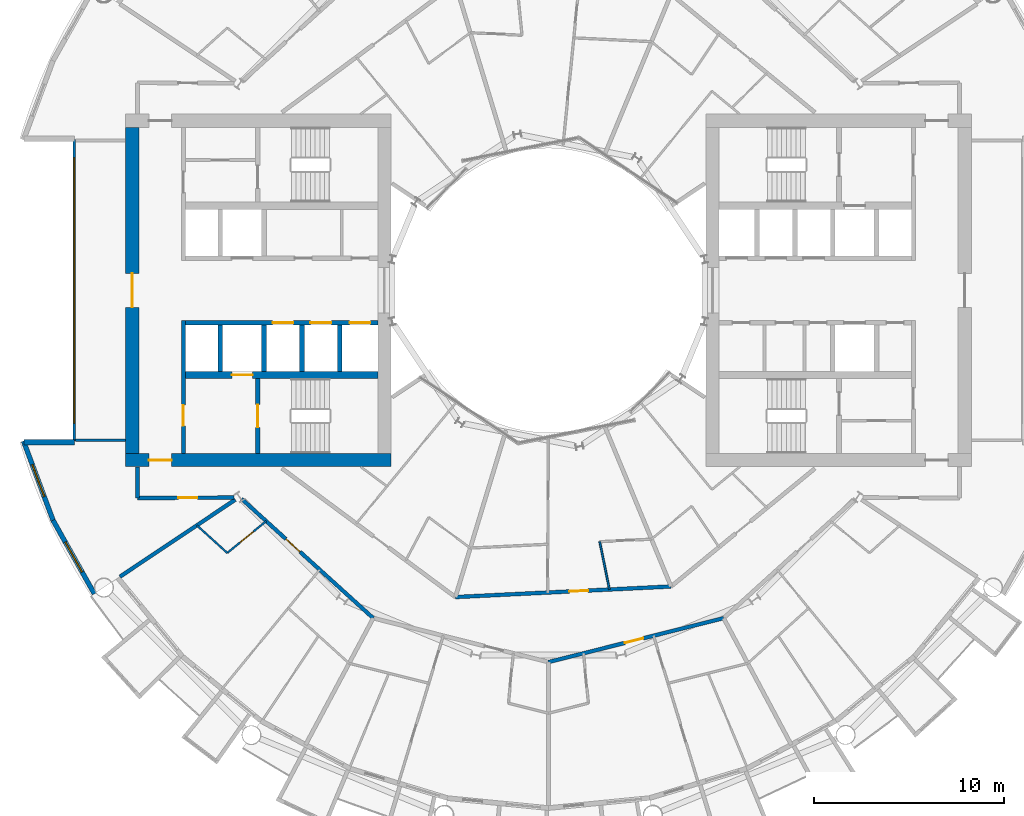
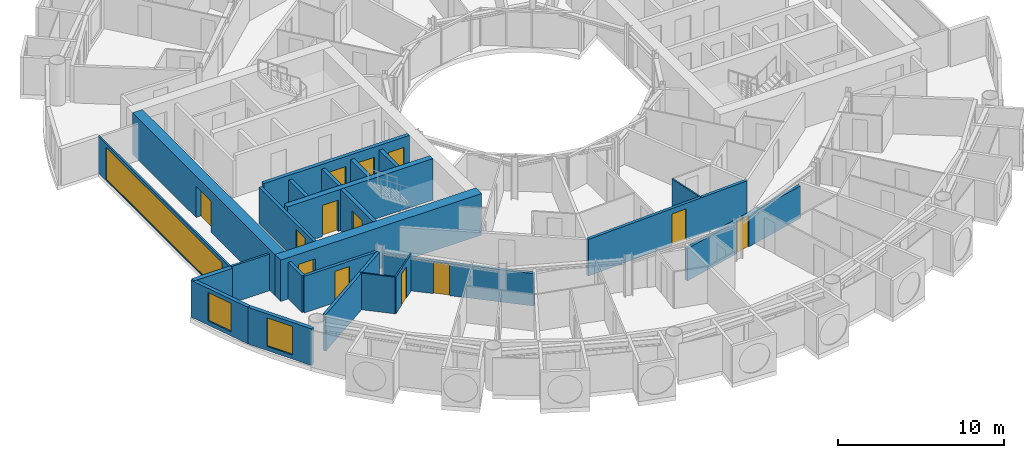
# One storey, part 14 of 26: 24 walls, 13 doors, 3 windows, 16 openings.
"""IFC4 building model written with IfcOpenShell, lengths in metres."""

from ifc_helpers import new_model, si_unit, direction, frame, frame_2d, origin, place, context, subcontext, project, spatial, rectangle, extrude, material, layer, layer_set, type_object, element, fill, save


model = new_model("IFC4")

# Units and contexts
model_context = context("Model", 3, precision=1e-05, world=origin(), true_north=direction((0.0, 1.0)))
body_context = subcontext(model_context, "Body", "Model", "MODEL_VIEW")
ifc_project = project(units=[si_unit("LENGTHUNIT", "METRE"), si_unit("AREAUNIT", "SQUARE_METRE"), si_unit("VOLUMEUNIT", "CUBIC_METRE"), si_unit("PLANEANGLEUNIT", "RADIAN"), si_unit("MASSUNIT", "GRAM", prefix="KILO")], contexts=[model_context])

# Site, building, storey
site_placement = place(None, origin())
site = spatial("IfcSite", under=ifc_project, at=site_placement, CompositionType="ELEMENT")
building_placement = place(site_placement, origin())
building = spatial("IfcBuilding", under=site, at=building_placement, Name="Maasbend Ring Residences", CompositionType="ELEMENT")
storey_placement = place(building_placement, frame((0.0, 0.0, 81.89990234375)))
storey = spatial("IfcBuildingStorey", under=building, at=storey_placement, Name="L23", CompositionType="ELEMENT", Elevation=81.89990234375)

# Wall, openings, doors
ifc_material_1 = material(Name="Concrete C70/85", Category="concrete")
ifc_layer_1 = layer(ifc_material_1, 0.25)
ifc_layer_set_1 = layer_set([ifc_layer_1], Name="Concrete C70/85")
wall_type_1 = type_object("IfcWallType", Name="CORE WALL 250 C70/85", PredefinedType="SHEAR", material=ifc_layer_set_1)
wall_1_placement = place(storey_placement, frame((-9.0, -1.699951171875, 0.0), z_axis=(0.0, 0.0, 1.0), x_axis=(-1.0, 0.0, 0.0)))
wall_1 = element("IfcWall", 1, at=wall_1_placement, inside=storey, type_object=wall_type_1, Name="L23 core W wall SPN", PredefinedType="SHEAR", context=body_context, shape_type="SweptSolid", body=[
    extrude(rectangle(XDim=10.14990234375, YDim=0.25, at=frame_2d((5.074951171875, 0.0))), origin(), (0.0, 0.0, 1.0), 3.050048828125),
])
opening_1_placement = place(wall_1_placement, frame((0.387451171875, 0.0, 0.0)))
opening_1 = element("IfcOpeningElement", 2, at=opening_1_placement, cuts=wall_1, Name="Opening LD-W2301", PredefinedType="OPENING", context=body_context, shape_type="SweptSolid", body=[
    extrude(rectangle(XDim=1.10009765625, YDim=2.300048828125, at=frame_2d((0.550048828125, 1.14990234375))), frame((0.0, 0.135009765625, 0.0), z_axis=(0.0, -1.0, 0.0), x_axis=(1.0, 0.0, 0.0)), (0.0, 0.0, 1.0), 0.27001953125),
])
opening_2_placement = place(wall_1_placement, frame((2.449951171875, 0.0, 0.0)))
opening_2 = element("IfcOpeningElement", 3, at=opening_2_placement, cuts=wall_1, Name="Opening LD-W2302", PredefinedType="OPENING", context=body_context, shape_type="SweptSolid", body=[
    extrude(rectangle(XDim=1.10009765625, YDim=2.300048828125, at=frame_2d((0.550048828125, 1.14990234375))), frame((0.0, 0.135009765625, 0.0), z_axis=(0.0, -1.0, 0.0), x_axis=(1.0, 0.0, 0.0)), (0.0, 0.0, 1.0), 0.27001953125),
])
opening_3_placement = place(wall_1_placement, frame((4.449951171875, 0.0, 0.0)))
opening_3 = element("IfcOpeningElement", 4, at=opening_3_placement, cuts=wall_1, Name="Opening LD-W2303", PredefinedType="OPENING", context=body_context, shape_type="SweptSolid", body=[
    extrude(rectangle(XDim=1.10009765625, YDim=2.300048828125, at=frame_2d((0.550048828125, 1.14990234375))), frame((0.0, 0.135009765625, 0.0), z_axis=(0.0, -1.0, 0.0), x_axis=(1.0, 0.0, 0.0)), (0.0, 0.0, 1.0), 0.27001953125),
])
ifc_material_2 = material(Name="Stainless steel 316", Category="steel")
door_type_1 = type_object("IfcDoorType", Name="LANDING DOOR 1100 X 2300 FD60", OperationType="DOUBLE_DOOR_SLIDING", PredefinedType="DOOR", material=ifc_material_2)
door_1_placement = place(opening_1_placement, origin())
door_1 = element("IfcDoor", 5, at=door_1_placement, inside=storey, type_object=door_type_1, Name="Landing door LR-W1 L23", OperationType="DOUBLE_DOOR_SLIDING", OverallHeight=2.300048828125, OverallWidth=1.10009765625, PredefinedType="DOOR", context=body_context, shape_type="SweptSolid", body=[
    extrude(rectangle(XDim=1.10009765625, YDim=2.300048828125, at=frame_2d((0.550048828125, 1.14990234375))), frame((0.0, 0.02490234375, 0.0), z_axis=(0.0, -1.0, 0.0), x_axis=(1.0, 0.0, 0.0)), (0.0, 0.0, 1.0), 0.050048828125),
])
fill(opening_1, door_1)
door_2_placement = place(opening_2_placement, origin())
door_2 = element("IfcDoor", 6, at=door_2_placement, inside=storey, type_object=door_type_1, Name="Landing door LR-W2 L23", OperationType="DOUBLE_DOOR_SLIDING", OverallHeight=2.300048828125, OverallWidth=1.10009765625, PredefinedType="DOOR", context=body_context, shape_type="SweptSolid", body=[
    extrude(rectangle(XDim=1.10009765625, YDim=2.300048828125, at=frame_2d((0.550048828125, 1.14990234375))), frame((0.0, 0.02490234375, 0.0), z_axis=(0.0, -1.0, 0.0), x_axis=(1.0, 0.0, 0.0)), (0.0, 0.0, 1.0), 0.050048828125),
])
fill(opening_2, door_2)
door_3_placement = place(opening_3_placement, origin())
door_3 = element("IfcDoor", 7, at=door_3_placement, inside=storey, type_object=door_type_1, Name="Landing door LR-W3 L23", OperationType="DOUBLE_DOOR_SLIDING", OverallHeight=2.300048828125, OverallWidth=1.10009765625, PredefinedType="DOOR", context=body_context, shape_type="SweptSolid", body=[
    extrude(rectangle(XDim=1.10009765625, YDim=2.300048828125, at=frame_2d((0.550048828125, 1.14990234375))), frame((0.0, 0.02490234375, 0.0), z_axis=(0.0, -1.0, 0.0), x_axis=(1.0, 0.0, 0.0)), (0.0, 0.0, 1.0), 0.050048828125),
])
fill(opening_3, door_3)

# Wall, opening, door
wall_2_placement = place(storey_placement, frame((-15.324951171875, -4.64990234375, 0.0), z_axis=(0.0, 0.0, 1.0), x_axis=(0.0, -1.0, 0.0)))
wall_2 = element("IfcWall", 8, at=wall_2_placement, inside=storey, type_object=wall_type_1, Name="L23 core W wall STEN", PredefinedType="SHEAR", context=body_context, shape_type="SweptSolid", body=[
    extrude(rectangle(XDim=3.9501953125, YDim=0.25, at=frame_2d((1.97509765625, 0.0))), origin(), (0.0, 0.0, 1.0), 3.050048828125),
])
opening_4_placement = place(wall_2_placement, frame((1.375, 0.0, 0.0)))
opening_4 = element("IfcOpeningElement", 9, at=opening_4_placement, cuts=wall_2, Name="Opening D-W2309", PredefinedType="OPENING", context=body_context, shape_type="SweptSolid", body=[
    extrude(rectangle(XDim=1.199951171875, YDim=2.300048828125, at=frame_2d((0.60009765625, 1.14990234375))), frame((0.0, 0.135009765625, 0.0), z_axis=(0.0, -1.0, 0.0), x_axis=(1.0, 0.0, 0.0)), (0.0, 0.0, 1.0), 0.27001953125),
])
ifc_material_3 = material(Name="Steel, powder coated", Category="steel")
door_type_2 = type_object("IfcDoorType", Name="STAIR DOOR 1200 X 2300 FD60", OperationType="NOTDEFINED", PredefinedType="DOOR", material=ifc_material_3)
door_4_placement = place(opening_4_placement, origin())
door_4 = element("IfcDoor", 10, at=door_4_placement, inside=storey, type_object=door_type_2, Name="Stair door ST-W L23", OperationType="SINGLE_SWING_LEFT", OverallHeight=2.300048828125, OverallWidth=1.199951171875, PredefinedType="DOOR", context=body_context, shape_type="SweptSolid", body=[
    extrude(rectangle(XDim=1.199951171875, YDim=2.300048828125, at=frame_2d((0.60009765625, 1.14990234375))), frame((0.0, 0.02490234375, 0.0), z_axis=(0.0, -1.0, 0.0), x_axis=(1.0, 0.0, 0.0)), (0.0, 0.0, 1.0), 0.050048828125),
])
fill(opening_4, door_4)

ifc_material_4 = material(Name="Concrete C70/85", Category="concrete")
ifc_layer_2 = layer(ifc_material_4, 0.375)
ifc_layer_set_2 = layer_set([ifc_layer_2], Name="Concrete C70/85")
wall_type_2 = type_object("IfcWallType", Name="CORE WALL 375 C70/85", PredefinedType="SHEAR", material=ifc_layer_set_2)
wall_3_placement = place(storey_placement, frame((-9.0, -4.46240234375, 0.0), z_axis=(0.0, 0.0, 1.0), x_axis=(-1.0, 0.0, 0.0)))
wall_3 = element("IfcWall", 11, at=wall_3_placement, inside=storey, type_object=wall_type_2, Name="L23 core W wall BN", PredefinedType="SHEAR", context=body_context, shape_type="SweptSolid", body=[
    extrude(rectangle(XDim=10.14990234375, YDim=0.375, at=frame_2d((5.074951171875, 0.0))), origin(), (0.0, 0.0, 1.0), 3.050048828125),
])
opening_5_placement = place(wall_3_placement, frame((6.60009765625, 0.0, 0.0)))
opening_5 = element("IfcOpeningElement", 12, at=opening_5_placement, cuts=wall_3, Name="Opening LD-W2304", PredefinedType="OPENING", context=body_context, shape_type="SweptSolid", body=[
    extrude(rectangle(XDim=1.10009765625, YDim=2.300048828125, at=frame_2d((0.550048828125, 1.14990234375))), frame((0.0, 0.197509765625, 0.0), z_axis=(0.0, -1.0, 0.0), x_axis=(1.0, 0.0, 0.0)), (0.0, 0.0, 1.0), 0.39501953125),
])
door_5_placement = place(opening_5_placement, origin())
door_5 = element("IfcDoor", 13, at=door_5_placement, inside=storey, type_object=door_type_1, Name="Landing door FF-W L23", OperationType="DOUBLE_DOOR_SLIDING", OverallHeight=2.300048828125, OverallWidth=1.10009765625, PredefinedType="DOOR", context=body_context, shape_type="SweptSolid", body=[
    extrude(rectangle(XDim=1.10009765625, YDim=2.300048828125, at=frame_2d((0.550048828125, 1.14990234375))), frame((0.0, 0.02490234375, 0.0), z_axis=(0.0, -1.0, 0.0), x_axis=(1.0, 0.0, 0.0)), (0.0, 0.0, 1.0), 0.050048828125),
])
fill(opening_5, door_5)

ifc_material_5 = material(Name="Concrete C70/85", Category="concrete")
ifc_layer_3 = layer(ifc_material_5, 0.699951171875)
ifc_layer_set_3 = layer_set([ifc_layer_3], Name="Concrete C70/85")
wall_type_3 = type_object("IfcWallType", Name="CORE WALL 700 C70/85", PredefinedType="SHEAR", material=ifc_layer_set_3)
wall_4_placement = place(storey_placement, frame((-22.300048828125, -8.949951171875, 0.0), z_axis=(0.0, 0.0, 1.0), x_axis=(1.0, 0.0, 0.0)))
wall_4 = element("IfcWall", 14, at=wall_4_placement, inside=storey, type_object=wall_type_3, Name="L23 core W wall PN", PredefinedType="SHEAR", context=body_context, shape_type="SweptSolid", body=[
    extrude(rectangle(XDim=14.0, YDim=0.699951171875, at=frame_2d((7.0, 0.0))), origin(), (0.0, 0.0, 1.0), 3.050048828125),
])
opening_6_placement = place(wall_4_placement, frame((1.22509765625, 0.0, 0.0)))
opening_6 = element("IfcOpeningElement", 15, at=opening_6_placement, cuts=wall_4, Name="Opening D-W2313", PredefinedType="OPENING", context=body_context, shape_type="SweptSolid", body=[
    extrude(rectangle(XDim=1.199951171875, YDim=2.300048828125, at=frame_2d((0.60009765625, 1.14990234375))), frame((0.0, 0.35986328125, 0.0), z_axis=(0.0, -1.0, 0.0), x_axis=(1.0, 0.0, 0.0)), (0.0, 0.0, 1.0), 0.719970703125),
])
ifc_material_6 = material(Name="Steel, powder coated", Category="steel")
door_type_3 = type_object("IfcDoorType", Name="CORRIDOR DOOR 1200 X 2300 FD30S", OperationType="NOTDEFINED", PredefinedType="DOOR", material=ifc_material_6)
door_6_placement = place(opening_6_placement, origin())
door_6 = element("IfcDoor", 16, at=door_6_placement, inside=storey, type_object=door_type_3, Name="Corridor door L23", OperationType="SINGLE_SWING_RIGHT", OverallHeight=2.300048828125, OverallWidth=1.199951171875, PredefinedType="DOOR", context=body_context, shape_type="SweptSolid", body=[
    extrude(rectangle(XDim=1.199951171875, YDim=2.300048828125, at=frame_2d((0.60009765625, 1.14990234375))), frame((0.0, 0.02490234375, 0.0), z_axis=(0.0, -1.0, 0.0), x_axis=(1.0, 0.0, 0.0)), (0.0, 0.0, 1.0), 0.050048828125),
])
fill(opening_6, door_6)

wall_5_placement = place(storey_placement, frame((-21.949951171875, -8.60009765625, 0.0), z_axis=(0.0, 0.0, 1.0), x_axis=(0.0, 1.0, 0.0)))
wall_5 = element("IfcWall", 17, at=wall_5_placement, inside=storey, type_object=wall_type_3, Name="L23 core W wall POUT", PredefinedType="SHEAR", context=body_context, shape_type="SweptSolid", body=[
    extrude(rectangle(XDim=17.2001953125, YDim=0.699951171875, at=frame_2d((8.60009765625, 0.0))), origin(), (0.0, 0.0, 1.0), 3.050048828125),
])
opening_7_placement = place(wall_5_placement, frame((7.699951171875, 0.0, 0.0)))
opening_7 = element("IfcOpeningElement", 18, at=opening_7_placement, cuts=wall_5, Name="Opening D-W2315", PredefinedType="OPENING", context=body_context, shape_type="SweptSolid", body=[
    extrude(rectangle(XDim=1.800048828125, YDim=2.300048828125, at=frame_2d((0.89990234375, 1.14990234375))), frame((0.0, 0.35986328125, 0.0), z_axis=(0.0, -1.0, 0.0), x_axis=(1.0, 0.0, 0.0)), (0.0, 0.0, 1.0), 0.719970703125),
])
ifc_material_7 = material(Name="Aluminium frame, clear glass", Category="aluminium")
door_type_4 = type_object("IfcDoorType", Name="ENTRANCE DOOR 1800 X 2300 FD60", OperationType="NOTDEFINED", PredefinedType="DOOR", material=ifc_material_7)
door_7_placement = place(opening_7_placement, origin())
door_7 = element("IfcDoor", 19, at=door_7_placement, inside=storey, type_object=door_type_4, Name="Lobby glazed door L23", OperationType="SINGLE_SWING_LEFT", OverallHeight=2.300048828125, OverallWidth=1.800048828125, PredefinedType="DOOR", context=body_context, shape_type="SweptSolid", body=[
    extrude(rectangle(XDim=1.800048828125, YDim=2.300048828125, at=frame_2d((0.89990234375, 1.14990234375))), frame((0.0, 0.02490234375, 0.0), z_axis=(0.0, -1.0, 0.0), x_axis=(1.0, 0.0, 0.0)), (0.0, 0.0, 1.0), 0.050048828125),
])
fill(opening_7, door_7)

ifc_material_8 = material(Name="Concrete C30/37", Category="concrete")
ifc_layer_4 = layer(ifc_material_8, 0.199951171875)
ifc_layer_set_4 = layer_set([ifc_layer_4], Name="Concrete C30/37")
wall_type_4 = type_object("IfcWallType", Name="CORRIDOR WALL 200 CONCRETE", PredefinedType="PARTITIONING", material=ifc_layer_set_4)
wall_6_placement = place(storey_placement, frame((-16.178955078125, -10.9951171875, 0.0), z_axis=(0.0, 0.0, 1.0), x_axis=(0.740909940942, -0.671604392044, 0.0)))
wall_6 = element("IfcWall", 20, at=wall_6_placement, inside=storey, type_object=wall_type_4, Name="U-L23-w011", PredefinedType="PARTITIONING", context=body_context, shape_type="SweptSolid", body=[
    extrude(rectangle(XDim=9.36669921875, YDim=0.199951171875, at=frame_2d((4.683349609375, 0.0))), origin(), (0.0, 0.0, 1.0), 2.380126953125),
])
opening_8_placement = place(wall_6_placement, frame((3.152099609375, 0.0, 0.0)))
opening_8 = element("IfcOpeningElement", 21, at=opening_8_placement, cuts=wall_6, Name="Opening D-2333", PredefinedType="OPENING", context=body_context, shape_type="SweptSolid", body=[
    extrude(rectangle(XDim=1.0, YDim=2.300048828125, at=frame_2d((0.5, 1.14990234375))), frame((0.0, 0.10986328125, 0.0), z_axis=(0.0, -1.0, 0.0), x_axis=(1.0, 0.0, 0.0)), (0.0, 0.0, 1.0), 0.219970703125),
])
ifc_material_9 = material(Name="Timber, fire-rated, painted", Category="wood")
door_type_5 = type_object("IfcDoorType", Name="FLAT ENTRANCE DOOR 1000 X 2300 FIRE-RATED", OperationType="NOTDEFINED", PredefinedType="DOOR", material=ifc_material_9)
door_8_placement = place(opening_8_placement, origin())
door_8 = element("IfcDoor", 22, at=door_8_placement, inside=storey, type_object=door_type_5, Name="D-2333", OperationType="SINGLE_SWING_LEFT", OverallHeight=2.300048828125, OverallWidth=1.0, PredefinedType="DOOR", context=body_context, shape_type="SweptSolid", body=[
    extrude(rectangle(XDim=1.0, YDim=2.300048828125, at=frame_2d((0.5, 1.14990234375))), frame((0.0, 0.02490234375, 0.0), z_axis=(0.0, -1.0, 0.0), x_axis=(1.0, 0.0, 0.0)), (0.0, 0.0, 1.0), 0.050048828125),
])
fill(opening_8, door_8)

wall_7_placement = place(storey_placement, frame((0.0, -19.60009765625, 0.0), z_axis=(0.0, 0.0, 1.0), x_axis=(0.970002158938, 0.243096301198, 0.0)))
wall_7 = element("IfcWall", 23, at=wall_7_placement, inside=storey, type_object=wall_type_4, Name="U-L23-w013", PredefinedType="PARTITIONING", context=body_context, shape_type="SweptSolid", body=[
    extrude(rectangle(XDim=9.52783203125, YDim=0.199951171875, at=frame_2d((4.763916015625, 0.0))), origin(), (0.0, 0.0, 1.0), 2.380126953125),
])
opening_9_placement = place(wall_7_placement, frame((4.155029296875, 0.0, 0.0)))
opening_9 = element("IfcOpeningElement", 24, at=opening_9_placement, cuts=wall_7, Name="Opening D-2343", PredefinedType="OPENING", context=body_context, shape_type="SweptSolid", body=[
    extrude(rectangle(XDim=1.0, YDim=2.300048828125, at=frame_2d((0.5, 1.14990234375))), frame((0.0, 0.10986328125, 0.0), z_axis=(0.0, -1.0, 0.0), x_axis=(1.0, 0.0, 0.0)), (0.0, 0.0, 1.0), 0.219970703125),
])
door_9_placement = place(opening_9_placement, origin())
door_9 = element("IfcDoor", 25, at=door_9_placement, inside=storey, type_object=door_type_5, Name="D-2343", OperationType="SINGLE_SWING_LEFT", OverallHeight=2.300048828125, OverallWidth=1.0, PredefinedType="DOOR", context=body_context, shape_type="SweptSolid", body=[
    extrude(rectangle(XDim=1.0, YDim=2.300048828125, at=frame_2d((0.5, 1.14990234375))), frame((0.0, 0.02490234375, 0.0), z_axis=(0.0, -1.0, 0.0), x_axis=(1.0, 0.0, 0.0)), (0.0, 0.0, 1.0), 0.050048828125),
])
fill(opening_9, door_9)

wall_8_placement = place(storey_placement, frame((-4.906005859375, -16.172119140625, 0.0), z_axis=(0.0, 0.0, 1.0), x_axis=(0.998798520108, 0.049005267363, 0.0)))
wall_8 = element("IfcWall", 26, at=wall_8_placement, inside=storey, type_object=wall_type_4, Name="U-L23-w017", PredefinedType="PARTITIONING", context=body_context, shape_type="SweptSolid", body=[
    extrude(rectangle(XDim=11.388671875, YDim=0.199951171875, at=frame_2d((5.6943359375, 0.0))), origin(), (0.0, 0.0, 1.0), 2.7001953125),
])
opening_10_placement = place(wall_8_placement, frame((6.008056640625, 0.0, 0.0)))
opening_10 = element("IfcOpeningElement", 27, at=opening_10_placement, cuts=wall_8, Name="Opening D-2357", PredefinedType="OPENING", context=body_context, shape_type="SweptSolid", body=[
    extrude(rectangle(XDim=1.0, YDim=2.300048828125, at=frame_2d((0.5, 1.14990234375))), frame((0.0, 0.10986328125, 0.0), z_axis=(0.0, -1.0, 0.0), x_axis=(1.0, 0.0, 0.0)), (0.0, 0.0, 1.0), 0.219970703125),
])
door_10_placement = place(opening_10_placement, origin())
door_10 = element("IfcDoor", 28, at=door_10_placement, inside=storey, type_object=door_type_5, Name="D-2357", OperationType="SINGLE_SWING_RIGHT", OverallHeight=2.300048828125, OverallWidth=1.0, PredefinedType="DOOR", context=body_context, shape_type="SweptSolid", body=[
    extrude(rectangle(XDim=1.0, YDim=2.300048828125, at=frame_2d((0.5, 1.14990234375))), frame((0.0, 0.02490234375, 0.0), z_axis=(0.0, -1.0, 0.0), x_axis=(1.0, 0.0, 0.0)), (0.0, 0.0, 1.0), 0.050048828125),
])
fill(opening_10, door_10)

wall_9_placement = place(storey_placement, frame((-21.675048828125, -10.949951171875, 0.0), z_axis=(0.0, 0.0, 1.0), x_axis=(0.999988019025, 0.004895079807, 0.0)))
wall_9 = element("IfcWall", 29, at=wall_9_placement, inside=storey, type_object=wall_type_4, Name="U-L23-w024", PredefinedType="PARTITIONING", context=body_context, shape_type="SweptSolid", body=[
    extrude(rectangle(XDim=5.087158203125, YDim=0.199951171875, at=frame_2d((2.54345703125, 0.0))), origin(), (0.0, 0.0, 1.0), 2.7001953125),
])
opening_11_placement = place(wall_9_placement, frame((2.1630859375, 0.0, 0.0)))
opening_11 = element("IfcOpeningElement", 30, at=opening_11_placement, cuts=wall_9, Name="Opening D-2365", PredefinedType="OPENING", context=body_context, shape_type="SweptSolid", body=[
    extrude(rectangle(XDim=1.0, YDim=2.300048828125, at=frame_2d((0.5, 1.14990234375))), frame((0.0, 0.10986328125, 0.0), z_axis=(0.0, -1.0, 0.0), x_axis=(1.0, 0.0, 0.0)), (0.0, 0.0, 1.0), 0.219970703125),
])
ifc_material_10 = material(Name="Timber, painted", Category="wood")
door_type_6 = type_object("IfcDoorType", Name="ROOM DOOR 1000 X 2300", OperationType="NOTDEFINED", PredefinedType="DOOR", material=ifc_material_10)
door_11_placement = place(opening_11_placement, origin())
door_11 = element("IfcDoor", 31, at=door_11_placement, inside=storey, type_object=door_type_6, Name="D-2365", OperationType="SINGLE_SWING_RIGHT", OverallHeight=2.300048828125, OverallWidth=1.0, PredefinedType="DOOR", context=body_context, shape_type="SweptSolid", body=[
    extrude(rectangle(XDim=1.0, YDim=2.300048828125, at=frame_2d((0.5, 1.14990234375))), frame((0.0, 0.02490234375, 0.0), z_axis=(0.0, -1.0, 0.0), x_axis=(1.0, 0.0, 0.0)), (0.0, 0.0, 1.0), 0.050048828125),
])
fill(opening_11, door_11)

# Wall
wall_10_placement = place(storey_placement, frame((-21.675048828125, -10.949951171875, 0.0), z_axis=(0.0, 0.0, 1.0), x_axis=(0.0, 1.0, 0.0)))
element("IfcWall", 32, at=wall_10_placement, inside=storey, type_object=wall_type_4, Name="U-L23-w107", PredefinedType="PARTITIONING", context=body_context, shape_type="SweptSolid", body=[
    extrude(rectangle(XDim=1.64990234375, YDim=0.199951171875, at=frame_2d((0.824951171875, 0.0))), origin(), (0.0, 0.0, 1.0), 2.7001953125),
])

# Wall, opening, window
ifc_material_11 = material(Name="Aluminium clad insulated panel", Category="aluminium")
ifc_layer_5 = layer(ifc_material_11, 0.25)
ifc_layer_set_5 = layer_set([ifc_layer_5], Name="EW-HORN")
wall_type_5 = type_object("IfcWallType", Name="EW-HORN", PredefinedType="SOLIDWALL", material=ifc_layer_set_5)
wall_11_placement = place(storey_placement, frame((-27.681884765625, -7.945068359375, 0.0), z_axis=(0.0, 0.0, 1.0), x_axis=(0.349247811493, -0.937030397675, 0.0)))
wall_11 = element("IfcWall", 33, at=wall_11_placement, inside=storey, type_object=wall_type_5, Name="Horn wall 3.1", PredefinedType="SOLIDWALL", context=body_context, shape_type="SweptSolid", body=[
    extrude(rectangle(XDim=4.4521484375, YDim=0.25, at=frame_2d((2.22607421875, 0.0))), origin(), (0.0, 0.0, 1.0), 2.7001953125),
])
opening_12_placement = place(wall_11_placement, frame((1.32666015625, 0.0, 0.300048828125)))
opening_12 = element("IfcOpeningElement", 34, at=opening_12_placement, cuts=wall_11, Name="Opening W-BX", PredefinedType="OPENING", context=body_context, shape_type="SweptSolid", body=[
    extrude(rectangle(XDim=1.800048828125, YDim=2.10009765625, at=frame_2d((0.89990234375, 1.050048828125))), frame((0.0, 0.135009765625, 0.0), z_axis=(0.0, -1.0, 0.0), x_axis=(1.0, 0.0, 0.0)), (0.0, 0.0, 1.0), 0.27001953125),
])
ifc_material_12 = material(Name="Aluminium and clear glass", Category="aluminium")
window_type_1 = type_object("IfcWindowType", Name="W-BX", PartitioningType="DOUBLE_PANEL_VERTICAL", PredefinedType="WINDOW", material=ifc_material_12)
window_1_placement = place(opening_12_placement, origin())
window_1 = element("IfcWindow", 35, at=window_1_placement, inside=storey, type_object=window_type_1, Name="Horn window 3.1", OverallHeight=2.10009765625, OverallWidth=1.800048828125, PartitioningType="SINGLE_PANEL", PredefinedType="WINDOW", context=body_context, shape_type="SweptSolid", body=[
    extrude(rectangle(XDim=1.800048828125, YDim=2.10009765625, at=frame_2d((0.89990234375, 1.050048828125))), frame((0.0, 0.030029296875, 0.0), z_axis=(0.0, -1.0, 0.0), x_axis=(1.0, 0.0, 0.0)), (0.0, 0.0, 1.0), 0.06005859375),
])
fill(opening_12, window_1)

wall_12_placement = place(storey_placement, frame((-26.126953125, -12.116943359375, 0.0), z_axis=(0.0, 0.0, 1.0), x_axis=(0.489696356642, -0.871893042919, 0.0)))
wall_12 = element("IfcWall", 36, at=wall_12_placement, inside=storey, type_object=wall_type_5, Name="Horn wall 3.2", PredefinedType="SOLIDWALL", context=body_context, shape_type="SweptSolid", body=[
    extrude(rectangle(XDim=4.45361328125, YDim=0.25, at=frame_2d((2.226806640625, 0.0))), origin(), (0.0, 0.0, 1.0), 2.7001953125),
])
opening_13_placement = place(wall_12_placement, frame((1.32666015625, 0.0, 0.300048828125)))
opening_13 = element("IfcOpeningElement", 37, at=opening_13_placement, cuts=wall_12, Name="Opening W-BX", PredefinedType="OPENING", context=body_context, shape_type="SweptSolid", body=[
    extrude(rectangle(XDim=1.800048828125, YDim=2.10009765625, at=frame_2d((0.89990234375, 1.050048828125))), frame((0.0, 0.135009765625, 0.0), z_axis=(0.0, -1.0, 0.0), x_axis=(1.0, 0.0, 0.0)), (0.0, 0.0, 1.0), 0.27001953125),
])
window_2_placement = place(opening_13_placement, origin())
window_2 = element("IfcWindow", 38, at=window_2_placement, inside=storey, type_object=window_type_1, Name="Horn window 3.2", OverallHeight=2.10009765625, OverallWidth=1.800048828125, PartitioningType="SINGLE_PANEL", PredefinedType="WINDOW", context=body_context, shape_type="SweptSolid", body=[
    extrude(rectangle(XDim=1.800048828125, YDim=2.10009765625, at=frame_2d((0.89990234375, 1.050048828125))), frame((0.0, 0.030029296875, 0.0), z_axis=(0.0, -1.0, 0.0), x_axis=(1.0, 0.0, 0.0)), (0.0, 0.0, 1.0), 0.06005859375),
])
fill(opening_13, window_2)

# Wall
ifc_material_13 = material(Name="Aluminium clad insulated panel", Category="aluminium")
ifc_layer_6 = layer(ifc_material_13, 0.300048828125)
ifc_layer_set_6 = layer_set([ifc_layer_6], Name="EW-RET")
wall_type_6 = type_object("IfcWallType", Name="EW-RET", PredefinedType="SOLIDWALL", material=ifc_layer_set_6)
wall_13_placement = place(storey_placement, frame((-25.0, -8.0, 0.0), z_axis=(0.0, 0.0, 1.0), x_axis=(-1.0, 0.0, 0.0)))
element("IfcWall", 39, at=wall_13_placement, inside=storey, type_object=wall_type_6, Name="Notch return wall west south", PredefinedType="SOLIDWALL", context=body_context, shape_type="SweptSolid", body=[
    extrude(rectangle(XDim=2.6669921875, YDim=0.300048828125, at=frame_2d((1.33349609375, 0.0))), origin(), (0.0, 0.0, 1.0), 2.7001953125),
])

# Wall, opening, window
ifc_material_14 = material(Name="Aluminium frame and clear glass", Category="aluminium")
ifc_layer_7 = layer(ifc_material_14, 0.1201171875)
ifc_layer_set_7 = layer_set([ifc_layer_7], Name="GLAZED SCREEN WALL 120 EI 60")
wall_type_7 = type_object("IfcWallType", Name="GLAZED SCREEN WALL 120 EI 60", PredefinedType="PARTITIONING", material=ifc_layer_set_7)
wall_14_placement = place(storey_placement, frame((-25.0, 7.949951171875, 0.0), z_axis=(0.0, 0.0, 1.0), x_axis=(0.0, -1.0, 0.0)))
wall_14 = element("IfcWall", 40, at=wall_14_placement, inside=storey, type_object=wall_type_7, Name="L23 core W wall FACE", PredefinedType="PARTITIONING", context=body_context, shape_type="SweptSolid", body=[
    extrude(rectangle(XDim=15.89990234375, YDim=0.1201171875, at=frame_2d((7.949951171875, 0.0))), origin(), (0.0, 0.0, 1.0), 2.7001953125),
])
opening_14_placement = place(wall_14_placement, frame((0.949951171875, 0.0, 0.10009765625)))
opening_14 = element("IfcOpeningElement", 41, at=opening_14_placement, cuts=wall_14, Name="Opening W-W2302", PredefinedType="OPENING", context=body_context, shape_type="SweptSolid", body=[
    extrude(rectangle(XDim=14.0, YDim=2.35009765625, at=frame_2d((7.0, 1.175048828125))), frame((0.0, 0.070068359375, 0.0), z_axis=(0.0, -1.0, 0.0), x_axis=(1.0, 0.0, 0.0)), (0.0, 0.0, 1.0), 0.14013671875),
])
ifc_material_15 = material(Name="Aluminium frame and clear glass", Category="aluminium")
window_type_2 = type_object("IfcWindowType", Name="FIXED WINDOW 14000 X 2350", PartitioningType="SINGLE_PANEL", PredefinedType="WINDOW", material=ifc_material_15)
window_3_placement = place(opening_14_placement, origin())
window_3 = element("IfcWindow", 42, at=window_3_placement, inside=storey, type_object=window_type_2, Name="Lobby window L23", OverallHeight=2.35009765625, OverallWidth=14.0, PartitioningType="SINGLE_PANEL", PredefinedType="WINDOW", context=body_context, shape_type="SweptSolid", body=[
    extrude(rectangle(XDim=14.0, YDim=2.35009765625, at=frame_2d((7.0, 1.175048828125))), frame((0.0, 0.030029296875, 0.0), z_axis=(0.0, -1.0, 0.0), x_axis=(1.0, 0.0, 0.0)), (0.0, 0.0, 1.0), 0.06005859375),
])
fill(opening_14, window_3)

# Wall
ifc_material_16 = material(Name="Gypsum board on steel studs", Category="steel")
ifc_layer_8 = layer(ifc_material_16, 0.10009765625)
ifc_layer_set_8 = layer_set([ifc_layer_8], Name="PARTITION 100 GYPSUM")
wall_type_8 = type_object("IfcWallType", Name="PARTITION 100 GYPSUM", PredefinedType="PARTITIONING", material=ifc_layer_set_8)
wall_15_placement = place(storey_placement, frame((-18.5419921875, -12.388916015625, 0.0), z_axis=(0.0, 0.0, 1.0), x_axis=(0.740836325503, -0.671685595212, 0.0)))
element("IfcWall", 43, at=wall_15_placement, inside=storey, type_object=wall_type_8, Name="U-L23-w003", PredefinedType="PARTITIONING", context=body_context, shape_type="SweptSolid", body=[
    extrude(rectangle(XDim=2.167724609375, YDim=0.10009765625, at=frame_2d((1.083984375, 0.0))), origin(), (0.0, 0.0, 1.0), 2.7001953125),
])

# Wall, opening, door
wall_16_placement = place(storey_placement, frame((-16.93603515625, -13.844970703125, 0.0), z_axis=(0.0, 0.0, 1.0), x_axis=(0.774162545943, 0.632986850147, 0.0)))
wall_16 = element("IfcWall", 44, at=wall_16_placement, inside=storey, type_object=wall_type_8, Name="U-L23-w032", PredefinedType="PARTITIONING", context=body_context, shape_type="SweptSolid", body=[
    extrude(rectangle(XDim=2.6494140625, YDim=0.10009765625, at=frame_2d((1.32470703125, 0.0))), origin(), (0.0, 0.0, 1.0), 2.7001953125),
])
opening_15_placement = place(wall_16_placement, frame((0.875, 0.0, 0.0)))
opening_15 = element("IfcOpeningElement", 45, at=opening_15_placement, cuts=wall_16, Name="Opening D-2334", PredefinedType="OPENING", context=body_context, shape_type="SweptSolid", body=[
    extrude(rectangle(XDim=0.89990234375, YDim=2.300048828125, at=frame_2d((0.449951171875, 1.14990234375))), frame((0.0, 0.06005859375, 0.0), z_axis=(0.0, -1.0, 0.0), x_axis=(1.0, 0.0, 0.0)), (0.0, 0.0, 1.0), 0.1201171875),
])
ifc_material_17 = material(Name="Timber, painted", Category="wood")
door_type_7 = type_object("IfcDoorType", Name="INTERNAL DOOR 900 X 2300", OperationType="NOTDEFINED", PredefinedType="DOOR", material=ifc_material_17)
door_12_placement = place(opening_15_placement, origin())
door_12 = element("IfcDoor", 46, at=door_12_placement, inside=storey, type_object=door_type_7, Name="D-2334", OperationType="SINGLE_SWING_LEFT", OverallHeight=2.300048828125, OverallWidth=0.89990234375, PredefinedType="DOOR", context=body_context, shape_type="SweptSolid", body=[
    extrude(rectangle(XDim=0.89990234375, YDim=2.300048828125, at=frame_2d((0.449951171875, 1.14990234375))), frame((0.0, 0.02490234375, 0.0), z_axis=(0.0, -1.0, 0.0), x_axis=(1.0, 0.0, 0.0)), (0.0, 0.0, 1.0), 0.050048828125),
])
fill(opening_15, door_12)

# Walls
wall_17_placement = place(storey_placement, frame((2.7041015625, -13.2529296875, 0.0), z_axis=(0.0, 0.0, 1.0), x_axis=(0.199820523641, -0.979832515449, 0.0)))
element("IfcWall", 47, at=wall_17_placement, inside=storey, type_object=wall_type_8, Name="U-L23-w058", PredefinedType="PARTITIONING", context=body_context, shape_type="SweptSolid", body=[
    extrude(rectangle(XDim=2.57177734375, YDim=0.10009765625, at=frame_2d((1.285888671875, 0.0))), origin(), (0.0, 0.0, 1.0), 2.7001953125),
])
ifc_material_18 = material(Name="Gypsum board on steel studs", Category="steel")
ifc_layer_9 = layer(ifc_material_18, 0.14990234375)
ifc_layer_set_9 = layer_set([ifc_layer_9], Name="PARTITION 150 EI 60")
wall_type_9 = type_object("IfcWallType", Name="PARTITION 150 EI 60", PredefinedType="PARTITIONING", material=ifc_layer_set_9)
wall_18_placement = place(storey_placement, frame((-22.300048828125, -7.89990234375, 0.0), z_axis=(0.0, 0.0, 1.0), x_axis=(-1.0, 0.0, 0.0)))
element("IfcWall", 48, at=wall_18_placement, inside=storey, type_object=wall_type_9, Name="L23 core W wall CITN", PredefinedType="PARTITIONING", context=body_context, shape_type="SweptSolid", body=[
    extrude(rectangle(XDim=2.639892578125, YDim=0.14990234375, at=frame_2d((1.31982421875, 0.0))), origin(), (0.0, 0.0, 1.0), 2.7001953125),
])
ifc_material_19 = material(Name="Concrete C30/37", Category="concrete")
ifc_layer_10 = layer(ifc_material_19, 0.199951171875)
ifc_layer_set_10 = layer_set([ifc_layer_10], Name="Concrete C30/37")
wall_type_10 = type_object("IfcWallType", Name="PARTY WALL 200 CONCRETE", PredefinedType="PARTITIONING", material=ifc_layer_set_10)
wall_19_placement = place(storey_placement, frame((-22.594970703125, -15.096923828125, 0.0), z_axis=(0.0, 0.0, 1.0), x_axis=(0.831505405283, 0.555516661303, 0.0)))
element("IfcWall", 49, at=wall_19_placement, inside=storey, type_object=wall_type_10, Name="U-L23-w028", PredefinedType="PARTITIONING", context=body_context, shape_type="SweptSolid", body=[
    extrude(rectangle(XDim=7.31201171875, YDim=0.199951171875, at=frame_2d((3.656005859375, 0.0))), origin(), (0.0, 0.0, 1.0), 2.7001953125),
])

# Wall, opening, door
ifc_material_20 = material(Name="Concrete C30/37", Category="concrete")
ifc_layer_11 = layer(ifc_material_20, 0.199951171875)
ifc_layer_set_11 = layer_set([ifc_layer_11], Name="Concrete C30/37")
wall_type_11 = type_object("IfcWallType", Name="SHAFT WALL 200 EI 120", PredefinedType="SOLIDWALL", material=ifc_layer_set_11)
wall_20_placement = place(storey_placement, frame((-19.25, -1.574951171875, 0.0), z_axis=(0.0, 0.0, 1.0), x_axis=(0.0, -1.0, 0.0)))
wall_20 = element("IfcWall", 50, at=wall_20_placement, inside=storey, type_object=wall_type_11, Name="L23 core W wall ENDN", PredefinedType="SOLIDWALL", context=body_context, shape_type="SweptSolid", body=[
    extrude(rectangle(XDim=7.025146484375, YDim=0.199951171875, at=frame_2d((3.5126953125, 0.0))), origin(), (0.0, 0.0, 1.0), 2.7001953125),
])
opening_16_placement = place(wall_20_placement, frame((4.47509765625, 0.0, 0.0)))
opening_16 = element("IfcOpeningElement", 51, at=opening_16_placement, cuts=wall_20, Name="Opening D-W2311", PredefinedType="OPENING", context=body_context, shape_type="SweptSolid", body=[
    extrude(rectangle(XDim=1.10009765625, YDim=2.300048828125, at=frame_2d((0.550048828125, 1.14990234375))), frame((0.0, 0.10986328125, 0.0), z_axis=(0.0, -1.0, 0.0), x_axis=(1.0, 0.0, 0.0)), (0.0, 0.0, 1.0), 0.219970703125),
])
ifc_material_21 = material(Name="Steel, powder coated", Category="steel")
door_type_8 = type_object("IfcDoorType", Name="LOBBY DOOR 1100 X 2300 FD60", OperationType="NOTDEFINED", PredefinedType="DOOR", material=ifc_material_21)
door_13_placement = place(opening_16_placement, origin())
door_13 = element("IfcDoor", 52, at=door_13_placement, inside=storey, type_object=door_type_8, Name="Lobby door L23", OperationType="SINGLE_SWING_LEFT", OverallHeight=2.300048828125, OverallWidth=1.10009765625, PredefinedType="DOOR", context=body_context, shape_type="SweptSolid", body=[
    extrude(rectangle(XDim=1.10009765625, YDim=2.300048828125, at=frame_2d((0.550048828125, 1.14990234375))), frame((0.0, 0.02490234375, 0.0), z_axis=(0.0, -1.0, 0.0), x_axis=(1.0, 0.0, 0.0)), (0.0, 0.0, 1.0), 0.050048828125),
])
fill(opening_16, door_13)

# Walls
ifc_material_22 = material(Name="Concrete C30/37", Category="concrete")
ifc_layer_12 = layer(ifc_material_22, 0.25)
ifc_layer_set_12 = layer_set([ifc_layer_12], Name="Concrete C30/37")
wall_type_12 = type_object("IfcWallType", Name="SHAFT WALL 250 EI 120", PredefinedType="SOLIDWALL", material=ifc_layer_set_12)
for number, where, z_axis, x_axis, name in (
    (53, (-15.0, -1.824951171875, 0.0), (0.0, 0.0, 1.0), (0.0, -1.0, 0.0), "L23 core W wall D150N"),
    (54, (-17.300048828125, -1.824951171875, 0.0), (0.0, 0.0, 1.0), (0.0, -1.0, 0.0), "L23 core W wall D173N"),
    (55, (-11.0, -1.824951171875, 0.0), (0.0, 0.0, 1.0), (0.0, -1.0, 0.0), "L23 core W wall D110N"),
    (56, (-13.0, -1.824951171875, 0.0), (0.0, 0.0, 1.0), (0.0, -1.0, 0.0), "L23 core W wall D130N"),
):
    element("IfcWall", number, at=place(storey_placement, frame(where, z_axis=z_axis, x_axis=x_axis)), inside=storey, type_object=wall_type_12, Name=name, PredefinedType="SOLIDWALL", context=body_context, shape_type="SweptSolid", body=[
        extrude(rectangle(XDim=2.449951171875, YDim=0.25, at=frame_2d((1.22509765625, 0.0))), origin(), (0.0, 0.0, 1.0), 2.7001953125),
    ])

save(model, "model.ifc")
